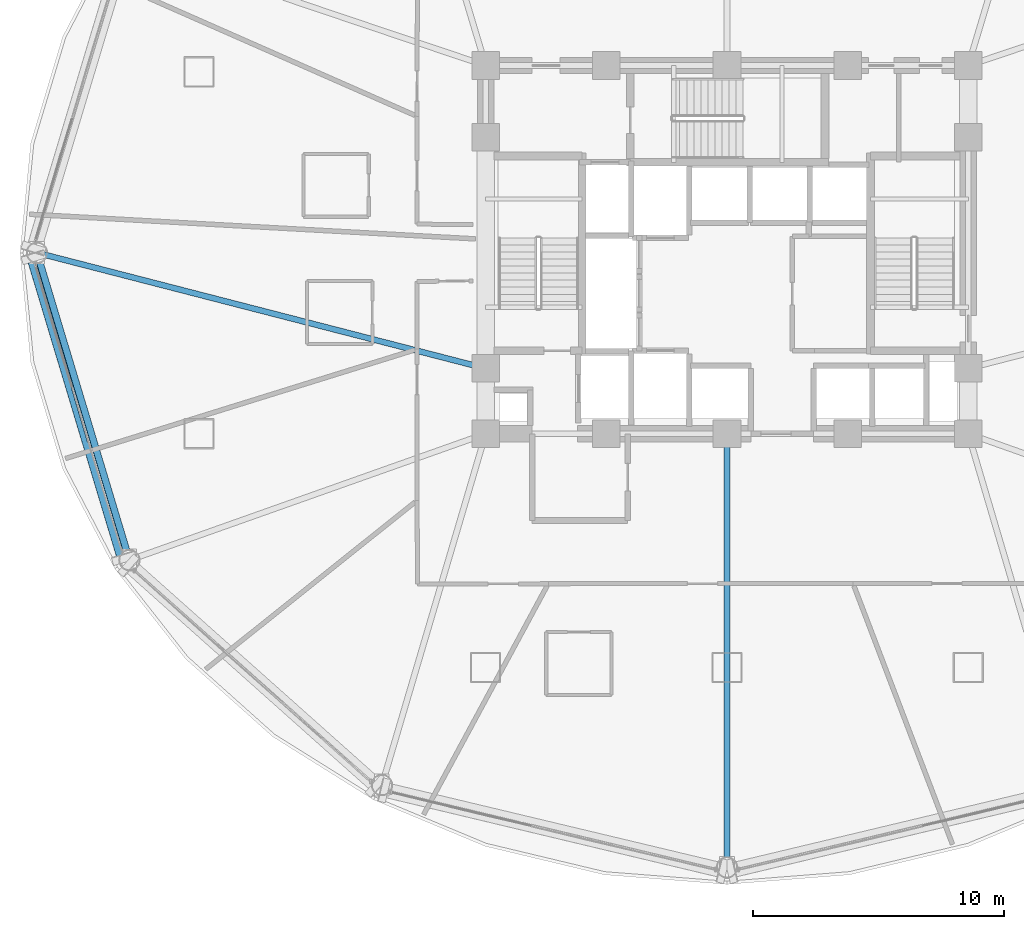
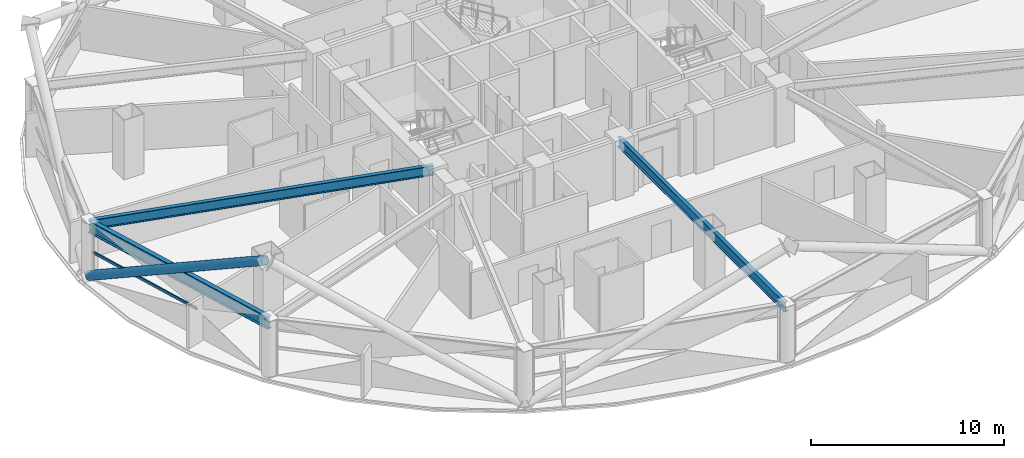
# One storey, part 5 of 30: 3 beams, 2 members, 1 element without a shape of its own.
"""IFC4 building model written with IfcOpenShell, lengths in metres."""

from ifc_helpers import new_model, si_unit, direction, frame, origin, origin_2d, place, context, subcontext, project, spatial, hollow_rectangle, hollow_circle, i_section, extrude, material, layer, layer_set, material_profile, profile_set, type_object, element, aggregate, save


model = new_model("IFC4")

# Units and contexts
model_context = context("Model", 3, precision=1e-05, world=origin(), true_north=direction((0.0, 1.0)))
body_context = subcontext(model_context, "Body", "Model", "MODEL_VIEW")
ifc_project = project(units=[si_unit("LENGTHUNIT", "METRE"), si_unit("AREAUNIT", "SQUARE_METRE"), si_unit("VOLUMEUNIT", "CUBIC_METRE"), si_unit("PLANEANGLEUNIT", "RADIAN"), si_unit("MASSUNIT", "GRAM", prefix="KILO")], contexts=[model_context])

# Site, building, storey
site_placement = place(None, origin())
site = spatial("IfcSite", under=ifc_project, at=site_placement, CompositionType="ELEMENT")
building_placement = place(site_placement, origin())
building = spatial("IfcBuilding", under=site, at=building_placement, Name="Vantalir Tower", CompositionType="ELEMENT")
storey_placement = place(building_placement, frame((0.0, 0.0, 57.0)))
storey = spatial("IfcBuildingStorey", under=building, at=storey_placement, Name="L13", CompositionType="ELEMENT", Elevation=57.0)

# Beams
ifc_material_1 = material(Name="Steel S355", Category="steel")
ifc_material_profile_1 = material_profile(ifc_material_1, i_section(OverallWidth=0.22998046875, OverallDepth=0.616943359375, WebThickness=0.01318359375, FlangeThickness=0.022216796875, at=origin_2d()), Name="Steel S355")
ifc_profile_set_1 = profile_set([ifc_material_profile_1], Name="Steel S355")
beam_type_1 = type_object("IfcBeamType", Name="BM-RB-610x229", PredefinedType="BEAM", material=ifc_profile_set_1)
beam_1_placement = place(storey_placement, frame((4.049072265625, 25.0, 3.261962890625), z_axis=(0.968363475004, -0.249543944582, 0.0), x_axis=(0.249543944582, 0.968363475004, 0.0)))
element("IfcBeam", 1, at=beam_1_placement, inside=storey, type_object=beam_type_1, Name="L13 Radial Floor Beam 07", PredefinedType="BEAM", context=body_context, shape_type="SweptSolid", body=[
    extrude(i_section(OverallWidth=0.22998046875, OverallDepth=0.616943359375, WebThickness=0.01318359375, FlangeThickness=0.022216796875, at=origin_2d()), origin(), (0.0, 0.0, 1.0), 18.43408203125),
])
beam_2_placement = place(storey_placement, frame((31.5, 0.549072265625, 3.261962890625), z_axis=(0.0, 1.0, 0.0), x_axis=(-1.0, 0.0, 0.0)))
element("IfcBeam", 2, at=beam_2_placement, inside=storey, type_object=beam_type_1, Name="L13 Radial Floor Beam 10", PredefinedType="BEAM", context=body_context, shape_type="SweptSolid", body=[
    extrude(i_section(OverallWidth=0.22998046875, OverallDepth=0.616943359375, WebThickness=0.01318359375, FlangeThickness=0.022216796875, at=origin_2d()), origin(), (0.0, 0.0, 1.0), 17.2509765625),
])
ifc_material_2 = material(Name="Steel S460", Category="steel")
ifc_material_profile_2 = material_profile(ifc_material_2, i_section(OverallWidth=0.26806640625, OverallDepth=0.77001953125, WebThickness=0.015625, FlangeThickness=0.025390625, at=origin_2d()), Name="Steel S460")
ifc_profile_set_2 = profile_set([ifc_material_profile_2], Name="Steel S460")
beam_type_2 = type_object("IfcBeamType", Name="BM-RG-762x267", PredefinedType="USERDEFINED", material=ifc_profile_set_2)
beam_3_placement = place(storey_placement, frame((4.049072265625, 25.0, 3.18505859375), z_axis=(0.288077607768, -0.957607065504, 0.0), x_axis=(0.957607065504, 0.288077607768, 0.0)))
element("IfcBeam", 3, at=beam_3_placement, inside=storey, type_object=beam_type_2, Name="L13 Circumferential Ring Girder 07", ObjectType="GIRDER", PredefinedType="USERDEFINED", context=body_context, shape_type="SweptSolid", body=[
    extrude(i_section(OverallWidth=0.26806640625, OverallDepth=0.77001953125, WebThickness=0.015625, FlangeThickness=0.025390625, at=origin_2d()), origin(), (0.0, 0.0, 1.0), 12.767333984375),
])

# Curtain wall, member
ifc_material_3 = material(Name="Champagne-silver PVDF aluminium and double-silver Low-E glass", Category="aluminium")
ifc_layer = layer(ifc_material_3, 0.18994140625)
ifc_layer_set = layer_set([ifc_layer], Name="Champagne-silver PVDF aluminium and double-silver Low-E glass")
curtain_wall_type = type_object("IfcCurtainWallType", Name="CW-DIAMOND-Z1", PredefinedType="USERDEFINED", material=ifc_layer_set)
curtain_wall_placement = place(storey_placement, origin())
curtain_wall = element("IfcCurtainWall", 4, at=curtain_wall_placement, inside=storey, type_object=curtain_wall_type, Name="L13 Quilted Pyramid-Diamond Curtain Wall S07", ObjectType="UNITISED CURTAIN WALL", PredefinedType="USERDEFINED")
ifc_material_4 = material(Name="Champagne-silver PVDF aluminium 6063-T6", Category="aluminium")
ifc_material_profile_3 = material_profile(ifc_material_4, hollow_rectangle(XDim=0.074951171875, YDim=0.159912109375, WallThickness=0.00390625, at=origin_2d()), Name="Champagne-silver PVDF aluminium 6063-T6")
ifc_profile_set_3 = profile_set([ifc_material_profile_3], Name="Champagne-silver PVDF aluminium 6063-T6")
member_type_1 = type_object("IfcMemberType", Name="CWT-160x75", PredefinedType="USERDEFINED", material=ifc_profile_set_3)
member_1_placement = place(storey_placement, frame((3.993896484375, 24.550048828125, 1.784912109375), z_axis=(0.284714445785, -0.958612374404, 0.0), x_axis=(0.958612374404, 0.284714445785, 0.0)))
member_1 = element("IfcMember", 5, at=member_1_placement, type_object=member_type_1, Name="CW-L13-S07 Pyramid Fold Ridge Transom", ObjectType="TRANSOM", PredefinedType="USERDEFINED", context=body_context, shape_type="SweptSolid", body=[
    extrude(hollow_rectangle(XDim=0.074951171875, YDim=0.159912109375, WallThickness=0.00390625, at=origin_2d()), origin(), (0.0, 0.0, 1.0), 7.39404296875),
])
aggregate(curtain_wall, [member_1])

# Member
ifc_material_profile_4 = material_profile(ifc_material_2, hollow_circle(Radius=0.27001953125, WallThickness=0.044921875, at=origin_2d()), Name="Steel S460")
ifc_profile_set_4 = profile_set([ifc_material_profile_4], Name="Steel S460")
member_type_2 = type_object("IfcMemberType", Name="MEM-DB-540x45", PredefinedType="BRACE", material=ifc_profile_set_4)
member_2_placement = place(storey_placement, frame((3.9140625, 24.81591796875, 0.18701171875), z_axis=(0.251543868713, -0.836810237706, 0.486286240997), x_axis=(0.957668399752, 0.287873646095, 0.0)))
element("IfcMember", 6, at=member_2_placement, inside=storey, type_object=member_type_2, Name="L13 Perimeter S460 Diagrid Brace R19L", PredefinedType="BRACE", context=body_context, shape_type="SweptSolid", body=[
    extrude(hollow_circle(Radius=0.27001953125, WallThickness=0.044921875, at=origin_2d()), origin(), (0.0, 0.0, 1.0), 14.283935546875),
])

save(model, "model.ifc")
